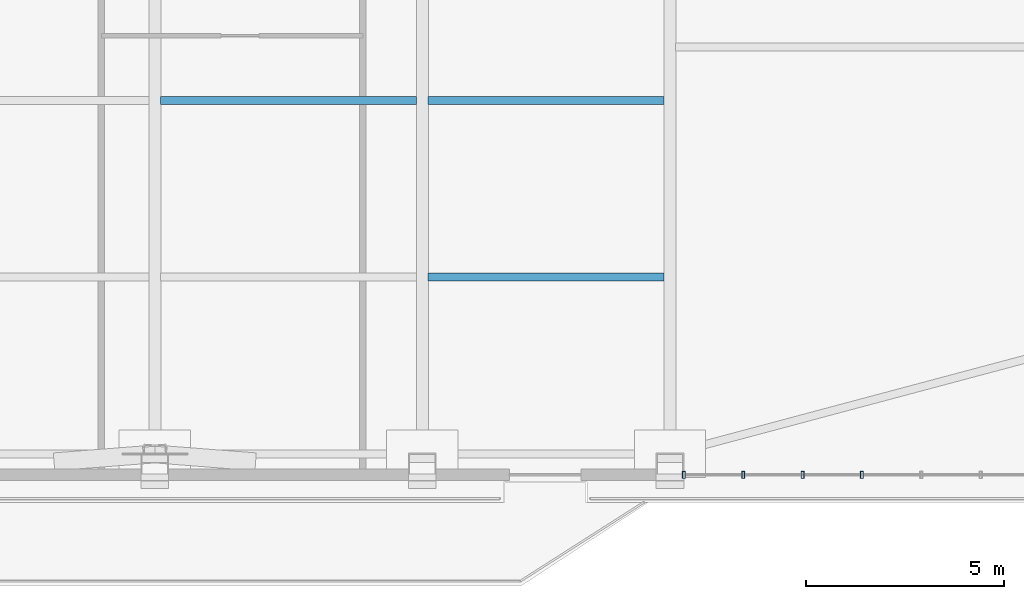
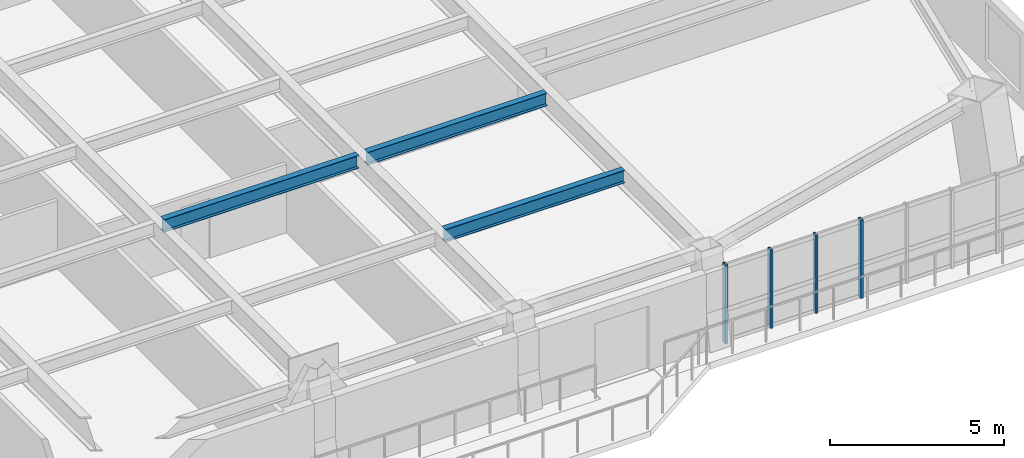
# One storey, part 4 of 15: 4 members, 3 beams, 1 element without a shape of its own.
"""IFC4 building model written with IfcOpenShell, lengths in metres."""

from ifc_helpers import new_model, si_unit, direction, frame, origin, origin_2d, place, context, subcontext, project, spatial, hollow_rectangle, i_section, extrude, source, transform, mapped, material, layer, layer_set, material_profile, profile_set, type_object, element, aggregate, save


model = new_model("IFC4")

# Units and contexts
model_context = context("Model", 3, precision=1e-05, world=origin(), true_north=direction((0.0, 1.0)))
body_context = subcontext(model_context, "Body", "Model", "MODEL_VIEW")
ifc_project = project(units=[si_unit("LENGTHUNIT", "METRE"), si_unit("AREAUNIT", "SQUARE_METRE"), si_unit("VOLUMEUNIT", "CUBIC_METRE"), si_unit("PLANEANGLEUNIT", "RADIAN"), si_unit("MASSUNIT", "GRAM", prefix="KILO")], contexts=[model_context])

# Site, building, storey
site_placement = place(None, origin())
site = spatial("IfcSite", under=ifc_project, at=site_placement, CompositionType="ELEMENT")
building_placement = place(site_placement, origin())
building = spatial("IfcBuilding", under=site, at=building_placement, Name="Giltprow Tower", CompositionType="ELEMENT")
storey_placement = place(building_placement, frame((0.0, 0.0, 187.699951171875)))
storey = spatial("IfcBuildingStorey", under=building, at=storey_placement, Name="L47", CompositionType="ELEMENT", Elevation=187.699951171875)

# Beams
ifc_material_1 = material(Name="Structural steel Q355B", Category="steel")
ifc_material_profile_1 = material_profile(ifc_material_1, i_section(OverallWidth=0.199951171875, OverallDepth=0.449951171875, WebThickness=0.009033203125, FlangeThickness=0.013916015625, at=origin_2d()), Name="HN 450x200x9x14")
ifc_profile_set_1 = profile_set([ifc_material_profile_1], Name="Structural steel Q355B")
beam_type = type_object("IfcBeamType", Name="BM-JOIST-HN450", PredefinedType="JOIST", material=ifc_profile_set_1)
shared_shape_1 = source(origin(), body_context, "Body", "SweptSolid", [
    extrude(i_section(OverallWidth=0.199951171875, OverallDepth=0.449951171875, WebThickness=0.009033203125, FlangeThickness=0.013916015625, at=origin_2d()), origin(), (0.0, 0.0, 1.0), 6.4599609375),
])
beam_placement = place(storey_placement, frame((37.695068359375, 19.60302734375, 2.9951171875), z_axis=(1.0, 0.0, 0.0), x_axis=(0.0, 1.0, 0.0)))
element("IfcBeam", 1, at=beam_placement, inside=storey, type_object=beam_type, Name="L47 Composite Floor Joist 2-3", PredefinedType="JOIST", context=body_context, shape_type="MappedRepresentation", body=[
    mapped(shared_shape_1, transform((0.0, 0.0, 0.0), x_axis=(1.0, 0.0, 0.0), y_axis=(0.0, 1.0, 0.0), z_axis=(0.0, 0.0, 1.0), scale=1.0)),
])
shared_shape_2 = source(origin(), body_context, "Body", "SweptSolid", [
    extrude(i_section(OverallWidth=0.199951171875, OverallDepth=0.449951171875, WebThickness=0.009033203125, FlangeThickness=0.013916015625, at=origin_2d()), origin(), (0.0, 0.0, 1.0), 5.9599609375),
])
for number, where, z_axis, x_axis, name in (
    (2, (44.445068359375, 15.14208984375, 2.9951171875), (1.0, 0.0, 0.0), (0.0, 1.0, 0.0), "L47 Composite Floor Joist 1-4"),
    (3, (44.445068359375, 19.60302734375, 2.9951171875), (1.0, 0.0, 0.0), (0.0, 1.0, 0.0), "L47 Composite Floor Joist 2-4"),
):
    element("IfcBeam", number, at=place(storey_placement, frame(where, z_axis=z_axis, x_axis=x_axis)), inside=storey, type_object=beam_type, Name=name, PredefinedType="JOIST", context=body_context, shape_type="MappedRepresentation", body=[
        mapped(shared_shape_2, transform((0.0, 0.0, 0.0), x_axis=(1.0, 0.0, 0.0), y_axis=(0.0, 1.0, 0.0), z_axis=(0.0, 0.0, 1.0), scale=1.0)),
    ])

# Curtain wall, members
ifc_material_2 = material(Name="Anodized bronze", Category="metal")
ifc_layer = layer(ifc_material_2, 0.179931640625, Name="Anodized bronze")
ifc_layer_set = layer_set([ifc_layer], Name="Anodized bronze")
curtain_wall_type = type_object("IfcCurtainWallType", Name="CW-HTL-BRONZE", PredefinedType="NOTDEFINED", material=ifc_layer_set)
curtain_wall_placement = place(storey_placement, origin())
curtain_wall = element("IfcCurtainWall", 4, at=curtain_wall_placement, inside=storey, type_object=curtain_wall_type, Name="L47 South Recessed Curtain Wall 6", PredefinedType="NOTDEFINED")
ifc_material_profile_2 = material_profile(ifc_material_2, hollow_rectangle(XDim=0.074951171875, YDim=0.179931640625, WallThickness=0.008056640625, at=origin_2d()), Name="RHS 180x75x8")
ifc_profile_set_2 = profile_set([ifc_material_profile_2], Name="Anodized bronze")
member_type = type_object("IfcMemberType", Name="CW-MULLION-180x75", PredefinedType="MULLION", material=ifc_profile_set_2)
shared_shape_3 = source(origin(), body_context, "Body", "SweptSolid", [
    extrude(hollow_rectangle(XDim=0.074951171875, YDim=0.179931640625, WallThickness=0.008056640625, at=origin_2d()), origin(), (0.0, 0.0, 1.0), 2.755126953125),
])
member_1_placement = place(storey_placement, frame((50.89990234375, 10.154052734375, -0.02001953125), z_axis=(0.0, 0.0, 1.0), x_axis=(1.0, 0.0, 0.0)))
member_1 = element("IfcMember", 5, at=member_1_placement, type_object=member_type, Name="L47 South Recessed Curtain Wall 6 Mullion 1", PredefinedType="MULLION", context=body_context, shape_type="MappedRepresentation", body=[
    mapped(shared_shape_3, transform((0.0, 0.0, 0.0), x_axis=(1.0, 0.0, 0.0), y_axis=(0.0, 1.0, 0.0), z_axis=(0.0, 0.0, 1.0), scale=1.0)),
])
member_2_placement = place(storey_placement, frame((52.39794921875, 10.154052734375, -0.02001953125), z_axis=(0.0, 0.0, 1.0), x_axis=(1.0, 0.0, 0.0)))
member_2 = element("IfcMember", 6, at=member_2_placement, type_object=member_type, Name="L47 South Recessed Curtain Wall 6 Mullion 2", PredefinedType="MULLION", context=body_context, shape_type="MappedRepresentation", body=[
    mapped(shared_shape_3, transform((0.0, 0.0, 0.0), x_axis=(1.0, 0.0, 0.0), y_axis=(0.0, 1.0, 0.0), z_axis=(0.0, 0.0, 1.0), scale=1.0)),
])
member_3_placement = place(storey_placement, frame((53.89599609375, 10.154052734375, -0.02001953125), z_axis=(0.0, 0.0, 1.0), x_axis=(1.0, 0.0, 0.0)))
member_3 = element("IfcMember", 7, at=member_3_placement, type_object=member_type, Name="L47 South Recessed Curtain Wall 6 Mullion 3", PredefinedType="MULLION", context=body_context, shape_type="MappedRepresentation", body=[
    mapped(shared_shape_3, transform((0.0, 0.0, 0.0), x_axis=(1.0, 0.0, 0.0), y_axis=(0.0, 1.0, 0.0), z_axis=(0.0, 0.0, 1.0), scale=1.0)),
])
member_4_placement = place(storey_placement, frame((55.39404296875, 10.154052734375, -0.02001953125), z_axis=(0.0, 0.0, 1.0), x_axis=(1.0, 0.0, 0.0)))
member_4 = element("IfcMember", 8, at=member_4_placement, type_object=member_type, Name="L47 South Recessed Curtain Wall 6 Mullion 4", PredefinedType="MULLION", context=body_context, shape_type="MappedRepresentation", body=[
    mapped(shared_shape_3, transform((0.0, 0.0, 0.0), x_axis=(1.0, 0.0, 0.0), y_axis=(0.0, 1.0, 0.0), z_axis=(0.0, 0.0, 1.0), scale=1.0)),
])
aggregate(curtain_wall, [member_1, member_2, member_3, member_4])

save(model, "model.ifc")
